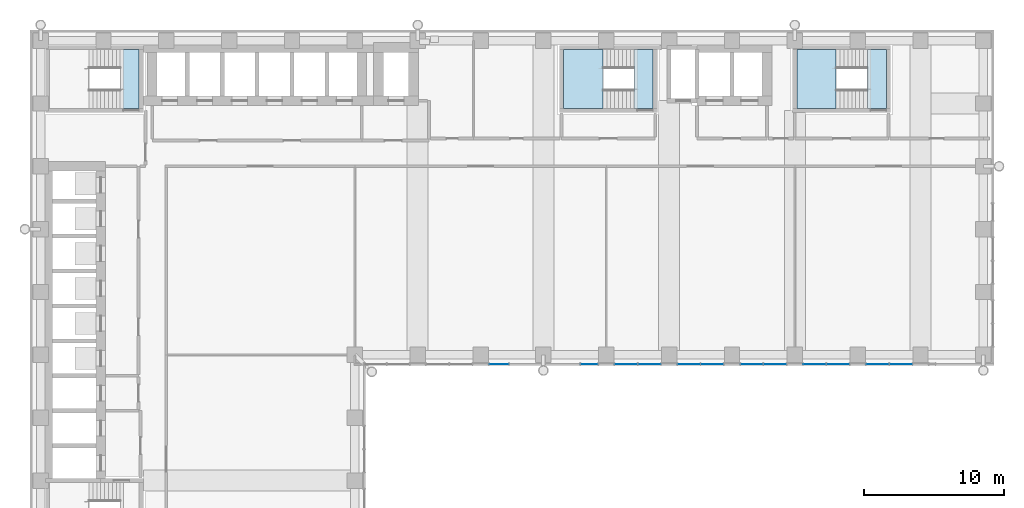
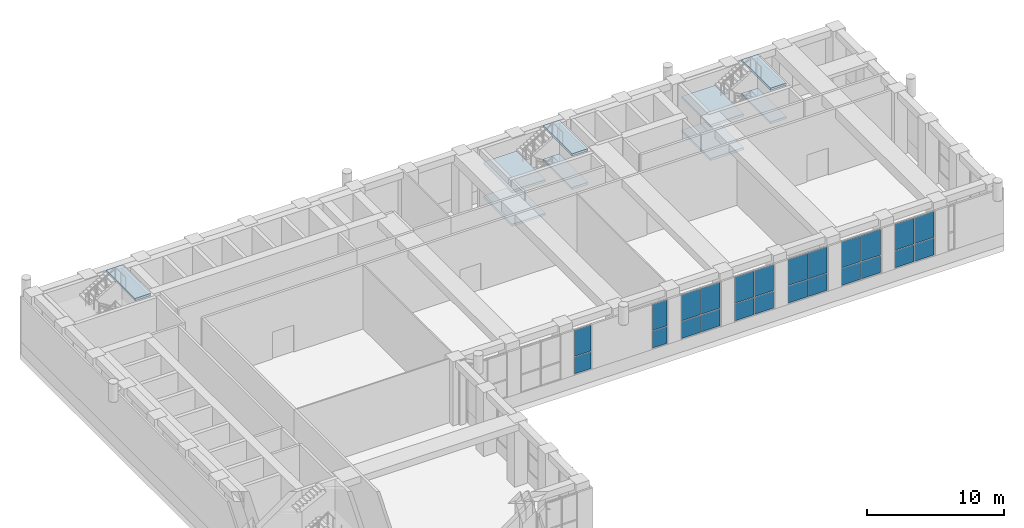
# One storey, part 11 of 22: 24 plates, 9 slabs, 10 elements without a shape of their own.
"""IFC4 building model written with IfcOpenShell, lengths in metres."""

from ifc_helpers import new_model, si_unit, direction, frame, origin, origin_2d, place, context, subcontext, project, spatial, polyline, rectangle, outline, extrude, material, layer, layer_set, type_object, element, aggregate, save


model = new_model("IFC4")

# Units and contexts
model_context = context("Model", 3, precision=1e-05, world=origin(), true_north=direction((0.0, 1.0)))
body_context = subcontext(model_context, "Body", "Model", "MODEL_VIEW")
ifc_project = project(units=[si_unit("LENGTHUNIT", "METRE"), si_unit("AREAUNIT", "SQUARE_METRE"), si_unit("VOLUMEUNIT", "CUBIC_METRE"), si_unit("PLANEANGLEUNIT", "RADIAN"), si_unit("MASSUNIT", "GRAM", prefix="KILO")], contexts=[model_context])

# Site, building, storey
site_placement = place(None, origin())
site = spatial("IfcSite", under=ifc_project, at=site_placement, CompositionType="ELEMENT")
building_placement = place(site_placement, origin())
building = spatial("IfcBuilding", under=site, at=building_placement, Name="Firuza Court", CompositionType="ELEMENT")
storey_placement = place(building_placement, frame((0.0, 0.0, 113.60009765625)))
storey = spatial("IfcBuildingStorey", under=building, at=storey_placement, Name="L28", CompositionType="ELEMENT", Elevation=113.60009765625)

# Curtain wall, plates
ifc_material_1 = material(Name="Aluminium curtain wall, triple clear glazing", Category="aluminium")
curtain_wall_type = type_object("IfcCurtainWallType", Name="Sky floor unitised curtain wall CW3", PredefinedType="NOTDEFINED", material=ifc_material_1)
curtain_wall_1_placement = place(storey_placement, origin())
curtain_wall_1 = element("IfcCurtainWall", 1, at=curtain_wall_1_placement, inside=storey, type_object=curtain_wall_type, Name="Sky floor unitised curtain wall CW3 L28", PredefinedType="NOTDEFINED")
ifc_material_2 = material(Name="Triple clear glazing", Category="glass")
ifc_layer_1 = layer(ifc_material_2, 0.031982421875)
ifc_layer_set_1 = layer_set([ifc_layer_1], Name="Triple clear glazing")
plate_type = type_object("IfcPlateType", Name="Glazed panel 32 CW3", PredefinedType="CURTAIN_PANEL", material=ifc_layer_set_1)
plate_1_placement = place(storey_placement, frame((32.805908203125, 35.330078125, 1.15966796875), z_axis=(0.0, 0.0, 1.0), x_axis=(1.0, 0.0, 0.0)))
plate_1 = element("IfcPlate", 2, at=plate_1_placement, type_object=plate_type, Name="CW3 panel 1.1", PredefinedType="CURTAIN_PANEL", context=body_context, shape_type="SweptSolid", body=[
    extrude(rectangle(XDim=1.391845703125, YDim=0.031982421875, at=origin_2d()), origin(), (0.0, 0.0, 1.0), 1.510009765625),
])
plate_2_placement = place(storey_placement, frame((32.805908203125, 35.330078125, 2.72998046875), z_axis=(0.0, 0.0, 1.0), x_axis=(1.0, 0.0, 0.0)))
plate_2 = element("IfcPlate", 3, at=plate_2_placement, type_object=plate_type, Name="CW3 panel 1.2", PredefinedType="CURTAIN_PANEL", context=body_context, shape_type="SweptSolid", body=[
    extrude(rectangle(XDim=1.391845703125, YDim=0.031982421875, at=origin_2d()), origin(), (0.0, 0.0, 1.0), 2.31005859375),
])
aggregate(curtain_wall_1, [plate_1, plate_2])

curtain_wall_2_placement = place(storey_placement, origin())
curtain_wall_2 = element("IfcCurtainWall", 4, at=curtain_wall_2_placement, inside=storey, type_object=curtain_wall_type, Name="Sky floor unitised curtain wall CW3 L28", PredefinedType="NOTDEFINED")
plate_3_placement = place(storey_placement, frame((39.281494140625, 35.330078125, 1.15966796875), z_axis=(0.0, 0.0, 1.0), x_axis=(1.0, 0.0, 0.0)))
plate_3 = element("IfcPlate", 5, at=plate_3_placement, type_object=plate_type, Name="CW3 panel 1.1", PredefinedType="CURTAIN_PANEL", context=body_context, shape_type="SweptSolid", body=[
    extrude(rectangle(XDim=1.21728515625, YDim=0.031982421875, at=origin_2d()), origin(), (0.0, 0.0, 1.0), 1.510009765625),
])
plate_4_placement = place(storey_placement, frame((39.281494140625, 35.330078125, 2.72998046875), z_axis=(0.0, 0.0, 1.0), x_axis=(1.0, 0.0, 0.0)))
plate_4 = element("IfcPlate", 6, at=plate_4_placement, type_object=plate_type, Name="CW3 panel 1.2", PredefinedType="CURTAIN_PANEL", context=body_context, shape_type="SweptSolid", body=[
    extrude(rectangle(XDim=1.21728515625, YDim=0.031982421875, at=origin_2d()), origin(), (0.0, 0.0, 1.0), 2.31005859375),
])
aggregate(curtain_wall_2, [plate_3, plate_4])

curtain_wall_3_placement = place(storey_placement, origin())
curtain_wall_3 = element("IfcCurtainWall", 7, at=curtain_wall_3_placement, inside=storey, type_object=curtain_wall_type, Name="Sky floor unitised curtain wall CW3 L28", PredefinedType="NOTDEFINED")
plate_5_placement = place(storey_placement, frame((41.9150390625, 35.330078125, 1.15966796875), z_axis=(0.0, 0.0, 1.0), x_axis=(1.0, 0.0, 0.0)))
plate_5 = element("IfcPlate", 8, at=plate_5_placement, type_object=plate_type, Name="CW3 panel 1.1", PredefinedType="CURTAIN_PANEL", context=body_context, shape_type="SweptSolid", body=[
    extrude(rectangle(XDim=1.610107421875, YDim=0.031982421875, at=origin_2d()), origin(), (0.0, 0.0, 1.0), 1.510009765625),
])
plate_6_placement = place(storey_placement, frame((41.9150390625, 35.330078125, 2.72998046875), z_axis=(0.0, 0.0, 1.0), x_axis=(1.0, 0.0, 0.0)))
plate_6 = element("IfcPlate", 9, at=plate_6_placement, type_object=plate_type, Name="CW3 panel 1.2", PredefinedType="CURTAIN_PANEL", context=body_context, shape_type="SweptSolid", body=[
    extrude(rectangle(XDim=1.610107421875, YDim=0.031982421875, at=origin_2d()), origin(), (0.0, 0.0, 1.0), 2.31005859375),
])
plate_7_placement = place(storey_placement, frame((43.5849609375, 35.330078125, 1.15966796875), z_axis=(0.0, 0.0, 1.0), x_axis=(1.0, 0.0, 0.0)))
plate_7 = element("IfcPlate", 10, at=plate_7_placement, type_object=plate_type, Name="CW3 panel 2.1", PredefinedType="CURTAIN_PANEL", context=body_context, shape_type="SweptSolid", body=[
    extrude(rectangle(XDim=1.610107421875, YDim=0.031982421875, at=origin_2d()), origin(), (0.0, 0.0, 1.0), 1.510009765625),
])
plate_8_placement = place(storey_placement, frame((43.5849609375, 35.330078125, 2.72998046875), z_axis=(0.0, 0.0, 1.0), x_axis=(1.0, 0.0, 0.0)))
plate_8 = element("IfcPlate", 11, at=plate_8_placement, type_object=plate_type, Name="CW3 panel 2.2", PredefinedType="CURTAIN_PANEL", context=body_context, shape_type="SweptSolid", body=[
    extrude(rectangle(XDim=1.610107421875, YDim=0.031982421875, at=origin_2d()), origin(), (0.0, 0.0, 1.0), 2.31005859375),
])
aggregate(curtain_wall_3, [plate_5, plate_6, plate_7, plate_8])

curtain_wall_4_placement = place(storey_placement, origin())
curtain_wall_4 = element("IfcCurtainWall", 12, at=curtain_wall_4_placement, inside=storey, type_object=curtain_wall_type, Name="Sky floor unitised curtain wall CW3 L28", PredefinedType="NOTDEFINED")
plate_9_placement = place(storey_placement, frame((46.4150390625, 35.330078125, 1.15966796875), z_axis=(0.0, 0.0, 1.0), x_axis=(1.0, 0.0, 0.0)))
plate_9 = element("IfcPlate", 13, at=plate_9_placement, type_object=plate_type, Name="CW3 panel 1.1", PredefinedType="CURTAIN_PANEL", context=body_context, shape_type="SweptSolid", body=[
    extrude(rectangle(XDim=1.610107421875, YDim=0.031982421875, at=origin_2d()), origin(), (0.0, 0.0, 1.0), 1.510009765625),
])
plate_10_placement = place(storey_placement, frame((46.4150390625, 35.330078125, 2.72998046875), z_axis=(0.0, 0.0, 1.0), x_axis=(1.0, 0.0, 0.0)))
plate_10 = element("IfcPlate", 14, at=plate_10_placement, type_object=plate_type, Name="CW3 panel 1.2", PredefinedType="CURTAIN_PANEL", context=body_context, shape_type="SweptSolid", body=[
    extrude(rectangle(XDim=1.610107421875, YDim=0.031982421875, at=origin_2d()), origin(), (0.0, 0.0, 1.0), 2.31005859375),
])
plate_11_placement = place(storey_placement, frame((48.0849609375, 35.330078125, 1.15966796875), z_axis=(0.0, 0.0, 1.0), x_axis=(1.0, 0.0, 0.0)))
plate_11 = element("IfcPlate", 15, at=plate_11_placement, type_object=plate_type, Name="CW3 panel 2.1", PredefinedType="CURTAIN_PANEL", context=body_context, shape_type="SweptSolid", body=[
    extrude(rectangle(XDim=1.610107421875, YDim=0.031982421875, at=origin_2d()), origin(), (0.0, 0.0, 1.0), 1.510009765625),
])
plate_12_placement = place(storey_placement, frame((48.0849609375, 35.330078125, 2.72998046875), z_axis=(0.0, 0.0, 1.0), x_axis=(1.0, 0.0, 0.0)))
plate_12 = element("IfcPlate", 16, at=plate_12_placement, type_object=plate_type, Name="CW3 panel 2.2", PredefinedType="CURTAIN_PANEL", context=body_context, shape_type="SweptSolid", body=[
    extrude(rectangle(XDim=1.610107421875, YDim=0.031982421875, at=origin_2d()), origin(), (0.0, 0.0, 1.0), 2.31005859375),
])
aggregate(curtain_wall_4, [plate_9, plate_10, plate_11, plate_12])

curtain_wall_5_placement = place(storey_placement, origin())
curtain_wall_5 = element("IfcCurtainWall", 17, at=curtain_wall_5_placement, inside=storey, type_object=curtain_wall_type, Name="Sky floor unitised curtain wall CW3 L28", PredefinedType="NOTDEFINED")
plate_13_placement = place(storey_placement, frame((50.9150390625, 35.330078125, 1.15966796875), z_axis=(0.0, 0.0, 1.0), x_axis=(1.0, 0.0, 0.0)))
plate_13 = element("IfcPlate", 18, at=plate_13_placement, type_object=plate_type, Name="CW3 panel 1.1", PredefinedType="CURTAIN_PANEL", context=body_context, shape_type="SweptSolid", body=[
    extrude(rectangle(XDim=1.610107421875, YDim=0.031982421875, at=origin_2d()), origin(), (0.0, 0.0, 1.0), 1.510009765625),
])
plate_14_placement = place(storey_placement, frame((50.9150390625, 35.330078125, 2.72998046875), z_axis=(0.0, 0.0, 1.0), x_axis=(1.0, 0.0, 0.0)))
plate_14 = element("IfcPlate", 19, at=plate_14_placement, type_object=plate_type, Name="CW3 panel 1.2", PredefinedType="CURTAIN_PANEL", context=body_context, shape_type="SweptSolid", body=[
    extrude(rectangle(XDim=1.610107421875, YDim=0.031982421875, at=origin_2d()), origin(), (0.0, 0.0, 1.0), 2.31005859375),
])
plate_15_placement = place(storey_placement, frame((52.5849609375, 35.330078125, 1.15966796875), z_axis=(0.0, 0.0, 1.0), x_axis=(1.0, 0.0, 0.0)))
plate_15 = element("IfcPlate", 20, at=plate_15_placement, type_object=plate_type, Name="CW3 panel 2.1", PredefinedType="CURTAIN_PANEL", context=body_context, shape_type="SweptSolid", body=[
    extrude(rectangle(XDim=1.610107421875, YDim=0.031982421875, at=origin_2d()), origin(), (0.0, 0.0, 1.0), 1.510009765625),
])
plate_16_placement = place(storey_placement, frame((52.5849609375, 35.330078125, 2.72998046875), z_axis=(0.0, 0.0, 1.0), x_axis=(1.0, 0.0, 0.0)))
plate_16 = element("IfcPlate", 21, at=plate_16_placement, type_object=plate_type, Name="CW3 panel 2.2", PredefinedType="CURTAIN_PANEL", context=body_context, shape_type="SweptSolid", body=[
    extrude(rectangle(XDim=1.610107421875, YDim=0.031982421875, at=origin_2d()), origin(), (0.0, 0.0, 1.0), 2.31005859375),
])
aggregate(curtain_wall_5, [plate_13, plate_14, plate_15, plate_16])

curtain_wall_6_placement = place(storey_placement, origin())
curtain_wall_6 = element("IfcCurtainWall", 22, at=curtain_wall_6_placement, inside=storey, type_object=curtain_wall_type, Name="Sky floor unitised curtain wall CW3 L28", PredefinedType="NOTDEFINED")
plate_17_placement = place(storey_placement, frame((55.4150390625, 35.330078125, 1.15966796875), z_axis=(0.0, 0.0, 1.0), x_axis=(1.0, 0.0, 0.0)))
plate_17 = element("IfcPlate", 23, at=plate_17_placement, type_object=plate_type, Name="CW3 panel 1.1", PredefinedType="CURTAIN_PANEL", context=body_context, shape_type="SweptSolid", body=[
    extrude(rectangle(XDim=1.610107421875, YDim=0.031982421875, at=origin_2d()), origin(), (0.0, 0.0, 1.0), 1.510009765625),
])
plate_18_placement = place(storey_placement, frame((55.4150390625, 35.330078125, 2.72998046875), z_axis=(0.0, 0.0, 1.0), x_axis=(1.0, 0.0, 0.0)))
plate_18 = element("IfcPlate", 24, at=plate_18_placement, type_object=plate_type, Name="CW3 panel 1.2", PredefinedType="CURTAIN_PANEL", context=body_context, shape_type="SweptSolid", body=[
    extrude(rectangle(XDim=1.610107421875, YDim=0.031982421875, at=origin_2d()), origin(), (0.0, 0.0, 1.0), 2.31005859375),
])
plate_19_placement = place(storey_placement, frame((57.0849609375, 35.330078125, 1.15966796875), z_axis=(0.0, 0.0, 1.0), x_axis=(1.0, 0.0, 0.0)))
plate_19 = element("IfcPlate", 25, at=plate_19_placement, type_object=plate_type, Name="CW3 panel 2.1", PredefinedType="CURTAIN_PANEL", context=body_context, shape_type="SweptSolid", body=[
    extrude(rectangle(XDim=1.610107421875, YDim=0.031982421875, at=origin_2d()), origin(), (0.0, 0.0, 1.0), 1.510009765625),
])
plate_20_placement = place(storey_placement, frame((57.0849609375, 35.330078125, 2.72998046875), z_axis=(0.0, 0.0, 1.0), x_axis=(1.0, 0.0, 0.0)))
plate_20 = element("IfcPlate", 26, at=plate_20_placement, type_object=plate_type, Name="CW3 panel 2.2", PredefinedType="CURTAIN_PANEL", context=body_context, shape_type="SweptSolid", body=[
    extrude(rectangle(XDim=1.610107421875, YDim=0.031982421875, at=origin_2d()), origin(), (0.0, 0.0, 1.0), 2.31005859375),
])
aggregate(curtain_wall_6, [plate_17, plate_18, plate_19, plate_20])

curtain_wall_7_placement = place(storey_placement, origin())
curtain_wall_7 = element("IfcCurtainWall", 27, at=curtain_wall_7_placement, inside=storey, type_object=curtain_wall_type, Name="Sky floor unitised curtain wall CW3 L28", PredefinedType="NOTDEFINED")
plate_21_placement = place(storey_placement, frame((59.9150390625, 35.330078125, 1.15966796875), z_axis=(0.0, 0.0, 1.0), x_axis=(1.0, 0.0, 0.0)))
plate_21 = element("IfcPlate", 28, at=plate_21_placement, type_object=plate_type, Name="CW3 panel 1.1", PredefinedType="CURTAIN_PANEL", context=body_context, shape_type="SweptSolid", body=[
    extrude(rectangle(XDim=1.610107421875, YDim=0.031982421875, at=origin_2d()), origin(), (0.0, 0.0, 1.0), 1.510009765625),
])
plate_22_placement = place(storey_placement, frame((59.9150390625, 35.330078125, 2.72998046875), z_axis=(0.0, 0.0, 1.0), x_axis=(1.0, 0.0, 0.0)))
plate_22 = element("IfcPlate", 29, at=plate_22_placement, type_object=plate_type, Name="CW3 panel 1.2", PredefinedType="CURTAIN_PANEL", context=body_context, shape_type="SweptSolid", body=[
    extrude(rectangle(XDim=1.610107421875, YDim=0.031982421875, at=origin_2d()), origin(), (0.0, 0.0, 1.0), 2.31005859375),
])
plate_23_placement = place(storey_placement, frame((61.5849609375, 35.330078125, 1.15966796875), z_axis=(0.0, 0.0, 1.0), x_axis=(1.0, 0.0, 0.0)))
plate_23 = element("IfcPlate", 30, at=plate_23_placement, type_object=plate_type, Name="CW3 panel 2.1", PredefinedType="CURTAIN_PANEL", context=body_context, shape_type="SweptSolid", body=[
    extrude(rectangle(XDim=1.610107421875, YDim=0.031982421875, at=origin_2d()), origin(), (0.0, 0.0, 1.0), 1.510009765625),
])
plate_24_placement = place(storey_placement, frame((61.5849609375, 35.330078125, 2.72998046875), z_axis=(0.0, 0.0, 1.0), x_axis=(1.0, 0.0, 0.0)))
plate_24 = element("IfcPlate", 31, at=plate_24_placement, type_object=plate_type, Name="CW3 panel 2.2", PredefinedType="CURTAIN_PANEL", context=body_context, shape_type="SweptSolid", body=[
    extrude(rectangle(XDim=1.610107421875, YDim=0.031982421875, at=origin_2d()), origin(), (0.0, 0.0, 1.0), 2.31005859375),
])
aggregate(curtain_wall_7, [plate_21, plate_22, plate_23, plate_24])

# Stair, slabs
ifc_material_3 = material(Name="Concrete C40/50 precast", Category="concrete")
stair_type = type_object("IfcStairType", Name="Stair 1350 x 6000 4 flights", PredefinedType="QUARTER_TURN_STAIR", material=ifc_material_3)
stair_1_placement = place(storey_placement, origin())
stair_1 = element("IfcStair", 32, at=stair_1_placement, inside=storey, type_object=stair_type, Name="Stair 1 L28", PredefinedType="QUARTER_TURN_STAIR")
ifc_material_4 = material(Name="Concrete C40/50 precast", Category="concrete")
ifc_layer_2 = layer(ifc_material_4, 0.199951171875)
ifc_layer_set_2 = layer_set([ifc_layer_2], Name="Concrete C40/50 precast")
slab_type = type_object("IfcSlabType", Name="Stair landing 200", PredefinedType="LANDING", material=ifc_layer_set_2)
slab_1_placement = place(storey_placement, frame((0.0, 0.0, 1.2998046875)))
slab_1 = element("IfcSlab", 33, at=slab_1_placement, type_object=slab_type, Name="S1 landing 1", PredefinedType="LANDING", context=body_context, shape_type="SweptSolid", body=[
    extrude(outline(polyline([(40.260009765625, 53.64990234375), (40.260009765625, 57.85009765625), (37.449951171875, 57.85009765625), (37.449951171875, 53.64990234375), (40.260009765625, 53.64990234375)])), origin(), (0.0, 0.0, 1.0), 0.2001953125),
])
slab_2_placement = place(storey_placement, frame((0.0, 0.0, 2.7998046875)))
slab_2 = element("IfcSlab", 34, at=slab_2_placement, type_object=slab_type, Name="S1 landing 2", PredefinedType="LANDING", context=body_context, shape_type="SweptSolid", body=[
    extrude(outline(polyline([(43.85009765625, 53.64990234375), (43.85009765625, 57.85009765625), (42.5, 57.85009765625), (42.5, 53.64990234375), (43.85009765625, 53.64990234375)])), origin(), (0.0, 0.0, 1.0), 0.2001953125),
])
slab_3_placement = place(storey_placement, frame((0.0, 0.0, 4.2998046875)))
slab_3 = element("IfcSlab", 35, at=slab_3_placement, type_object=slab_type, Name="S1 landing 3", PredefinedType="LANDING", context=body_context, shape_type="SweptSolid", body=[
    extrude(outline(polyline([(40.260009765625, 53.64990234375), (40.260009765625, 57.85009765625), (37.449951171875, 57.85009765625), (37.449951171875, 53.64990234375), (40.260009765625, 53.64990234375)])), origin(), (0.0, 0.0, 1.0), 0.2001953125),
])
slab_4_placement = place(storey_placement, frame((0.0, 0.0, 5.7998046875)))
slab_4 = element("IfcSlab", 36, at=slab_4_placement, type_object=slab_type, Name="S1 landing 4", PredefinedType="LANDING", context=body_context, shape_type="SweptSolid", body=[
    extrude(outline(polyline([(43.85009765625, 53.64990234375), (43.85009765625, 57.85009765625), (42.5, 57.85009765625), (42.5, 53.64990234375), (43.85009765625, 53.64990234375)])), origin(), (0.0, 0.0, 1.0), 0.2001953125),
])
aggregate(stair_1, [slab_1, slab_2, slab_3, slab_4])

# Stair, slab
stair_2_placement = place(storey_placement, origin())
stair_2 = element("IfcStair", 37, at=stair_2_placement, inside=storey, type_object=stair_type, Name="Stair 3 L28", PredefinedType="QUARTER_TURN_STAIR")
slab_5_placement = place(storey_placement, frame((0.0, 0.0, 5.7998046875)))
slab_5 = element("IfcSlab", 38, at=slab_5_placement, type_object=slab_type, Name="S3 landing 4", PredefinedType="LANDING", context=body_context, shape_type="SweptSolid", body=[
    extrude(outline(polyline([(7.050048828125, 53.64990234375), (7.050048828125, 57.85009765625), (5.699951171875, 57.85009765625), (5.699951171875, 53.64990234375), (7.050048828125, 53.64990234375)])), origin(), (0.0, 0.0, 1.0), 0.2001953125),
])
aggregate(stair_2, [slab_5])

# Stair, slabs
stair_3_placement = place(storey_placement, origin())
stair_3 = element("IfcStair", 39, at=stair_3_placement, inside=storey, type_object=stair_type, Name="Stair 4 L28", PredefinedType="QUARTER_TURN_STAIR")
slab_6_placement = place(storey_placement, frame((0.0, 0.0, 1.2998046875)))
slab_6 = element("IfcSlab", 40, at=slab_6_placement, type_object=slab_type, Name="S4 landing 1", PredefinedType="LANDING", context=body_context, shape_type="SweptSolid", body=[
    extrude(outline(polyline([(56.9599609375, 53.64990234375), (56.9599609375, 57.85009765625), (54.14990234375, 57.85009765625), (54.14990234375, 53.64990234375), (56.9599609375, 53.64990234375)])), origin(), (0.0, 0.0, 1.0), 0.2001953125),
])
slab_7_placement = place(storey_placement, frame((0.0, 0.0, 2.7998046875)))
slab_7 = element("IfcSlab", 41, at=slab_7_placement, type_object=slab_type, Name="S4 landing 2", PredefinedType="LANDING", context=body_context, shape_type="SweptSolid", body=[
    extrude(outline(polyline([(60.550048828125, 53.64990234375), (60.550048828125, 57.85009765625), (59.199951171875, 57.85009765625), (59.199951171875, 53.64990234375), (60.550048828125, 53.64990234375)])), origin(), (0.0, 0.0, 1.0), 0.2001953125),
])
slab_8_placement = place(storey_placement, frame((0.0, 0.0, 4.2998046875)))
slab_8 = element("IfcSlab", 42, at=slab_8_placement, type_object=slab_type, Name="S4 landing 3", PredefinedType="LANDING", context=body_context, shape_type="SweptSolid", body=[
    extrude(outline(polyline([(56.9599609375, 53.64990234375), (56.9599609375, 57.85009765625), (54.14990234375, 57.85009765625), (54.14990234375, 53.64990234375), (56.9599609375, 53.64990234375)])), origin(), (0.0, 0.0, 1.0), 0.2001953125),
])
slab_9_placement = place(storey_placement, frame((0.0, 0.0, 5.7998046875)))
slab_9 = element("IfcSlab", 43, at=slab_9_placement, type_object=slab_type, Name="S4 landing 4", PredefinedType="LANDING", context=body_context, shape_type="SweptSolid", body=[
    extrude(outline(polyline([(60.550048828125, 53.64990234375), (60.550048828125, 57.85009765625), (59.199951171875, 57.85009765625), (59.199951171875, 53.64990234375), (60.550048828125, 53.64990234375)])), origin(), (0.0, 0.0, 1.0), 0.2001953125),
])
aggregate(stair_3, [slab_6, slab_7, slab_8, slab_9])

save(model, "model.ifc")
